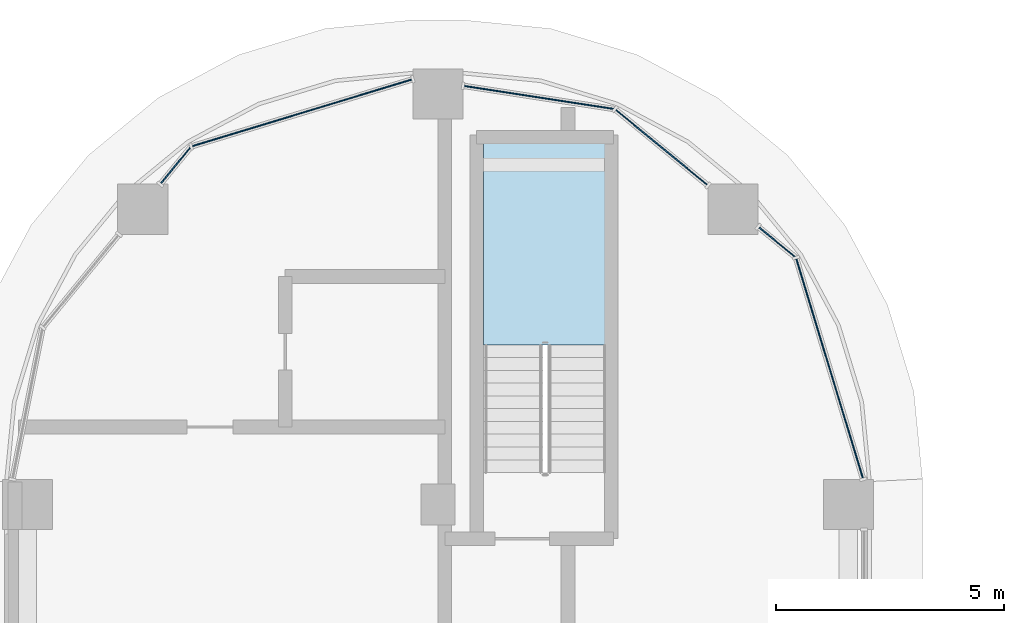
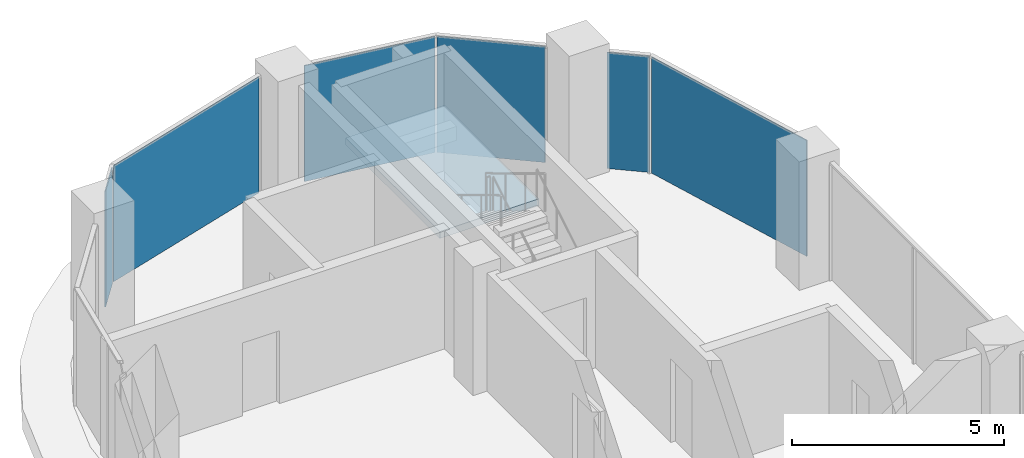
# One storey, part 9 of 24: 6 plates, 1 slab, 4 elements without a shape of their own.
"""IFC4 building model written with IfcOpenShell, lengths in metres."""

from ifc_helpers import new_model, si_unit, direction, frame, origin, origin_2d, place, context, subcontext, project, spatial, polyline, rectangle, outline, extrude, material, layer, layer_set, type_object, element, aggregate, save


model = new_model("IFC4")

# Units and contexts
model_context = context("Model", 3, precision=1e-05, world=origin(), true_north=direction((0.0, 1.0)))
body_context = subcontext(model_context, "Body", "Model", "MODEL_VIEW")
ifc_project = project(units=[si_unit("LENGTHUNIT", "METRE"), si_unit("AREAUNIT", "SQUARE_METRE"), si_unit("VOLUMEUNIT", "CUBIC_METRE"), si_unit("PLANEANGLEUNIT", "RADIAN"), si_unit("MASSUNIT", "GRAM", prefix="KILO")], contexts=[model_context])

# Site, building, storey
site_placement = place(None, origin())
site = spatial("IfcSite", under=ifc_project, at=site_placement, CompositionType="ELEMENT")
building_placement = place(site_placement, origin())
building = spatial("IfcBuilding", under=site, at=building_placement, Name="Ogive Portal Towers", CompositionType="ELEMENT")
storey_placement = place(building_placement, frame((0.0, 0.0, 153.300048828125)))
storey = spatial("IfcBuildingStorey", under=building, at=storey_placement, Name="L37", CompositionType="ELEMENT", Elevation=153.300048828125)

# Curtain wall, plates
ifc_material_1 = material(Name="Glass, clear low-iron insulated glazing", Category="glass")
curtain_wall_type = type_object("IfcCurtainWallType", Name="CW FRONT RIBBON 4500", PredefinedType="NOTDEFINED", material=ifc_material_1)
curtain_wall_1_placement = place(storey_placement, origin())
curtain_wall_1 = element("IfcCurtainWall", 1, at=curtain_wall_1_placement, inside=storey, type_object=curtain_wall_type, Name="A:L37:f07:cwa~0", PredefinedType="NOTDEFINED")
ifc_layer_1 = layer(ifc_material_1, 0.028076171875)
ifc_layer_set_1 = layer_set([ifc_layer_1], Name="CW PANEL IGU 28")
plate_type = type_object("IfcPlateType", Name="CW PANEL IGU 28", PredefinedType="CURTAIN_PANEL", material=ifc_layer_set_1)
plate_1_placement = place(storey_placement, frame((49.0888671875, 69.48095703125, 0.0), z_axis=(0.0, 0.0, 1.0), x_axis=(-0.290284677254, 0.956940335732, 0.0)))
plate_1 = element("IfcPlate", 2, at=plate_1_placement, type_object=plate_type, Name="panel", PredefinedType="CURTAIN_PANEL", context=body_context, shape_type="SweptSolid", body=[
    extrude(rectangle(XDim=5.020751953125, YDim=0.028076171875, at=origin_2d()), origin(), (0.0, 0.0, 1.0), 3.340087890625),
])
plate_2_placement = place(storey_placement, frame((47.937255859375, 72.251953125, 0.0), z_axis=(0.0, 0.0, 1.0), x_axis=(-0.773010453363, 0.634393284164, 0.0)))
plate_2 = element("IfcPlate", 3, at=plate_2_placement, type_object=plate_type, Name="panel", PredefinedType="CURTAIN_PANEL", context=body_context, shape_type="SweptSolid", body=[
    extrude(rectangle(XDim=1.01171875, YDim=0.028076171875, at=origin_2d()), origin(), (0.0, 0.0, 1.0), 3.340087890625),
])
aggregate(curtain_wall_1, [plate_1, plate_2])

curtain_wall_2_placement = place(storey_placement, origin())
curtain_wall_2 = element("IfcCurtainWall", 4, at=curtain_wall_2_placement, inside=storey, type_object=curtain_wall_type, Name="A:L37:f07:cwa~1", PredefinedType="NOTDEFINED")
plate_3_placement = place(storey_placement, frame((45.40234375, 74.332275390625, 0.0), z_axis=(0.0, 0.0, 1.0), x_axis=(-0.773010453363, 0.634393284164, 0.0)))
plate_3 = element("IfcPlate", 5, at=plate_3_placement, type_object=plate_type, Name="panel", PredefinedType="CURTAIN_PANEL", context=body_context, shape_type="SweptSolid", body=[
    extrude(rectangle(XDim=2.580810546875, YDim=0.028076171875, at=origin_2d()), origin(), (0.0, 0.0, 1.0), 3.340087890625),
])
plate_4_placement = place(storey_placement, frame((42.7158203125, 75.42626953125, 0.0), z_axis=(0.0, 0.0, 1.0), x_axis=(-0.988369166731, 0.15207363432, 0.0)))
plate_4 = element("IfcPlate", 6, at=plate_4_placement, type_object=plate_type, Name="panel", PredefinedType="CURTAIN_PANEL", context=body_context, shape_type="SweptSolid", body=[
    extrude(rectangle(XDim=3.310791015625, YDim=0.028076171875, at=origin_2d()), origin(), (0.0, 0.0, 1.0), 3.340087890625),
])
aggregate(curtain_wall_2, [plate_3, plate_4])

curtain_wall_3_placement = place(storey_placement, origin())
curtain_wall_3 = element("IfcCurtainWall", 7, at=curtain_wall_3_placement, inside=storey, type_object=curtain_wall_type, Name="A:L37:f07:cwa~2", PredefinedType="NOTDEFINED")
plate_5_placement = place(storey_placement, frame((37.51904296875, 75.0888671875, 0.0), z_axis=(0.0, 0.0, 1.0), x_axis=(-0.956940335732, -0.290284677254, 0.0)))
plate_5 = element("IfcPlate", 8, at=plate_5_placement, type_object=plate_type, Name="panel", PredefinedType="CURTAIN_PANEL", context=body_context, shape_type="SweptSolid", body=[
    extrude(rectangle(XDim=5.020751953125, YDim=0.028076171875, at=origin_2d()), origin(), (0.0, 0.0, 1.0), 3.340087890625),
])
plate_6_placement = place(storey_placement, frame((34.748046875, 73.937255859375, 0.0), z_axis=(0.0, 0.0, 1.0), x_axis=(-0.634393284164, -0.773010453363, 0.0)))
plate_6 = element("IfcPlate", 9, at=plate_6_placement, type_object=plate_type, Name="panel", PredefinedType="CURTAIN_PANEL", context=body_context, shape_type="SweptSolid", body=[
    extrude(rectangle(XDim=1.01171875, YDim=0.028076171875, at=origin_2d()), origin(), (0.0, 0.0, 1.0), 3.340087890625),
])
aggregate(curtain_wall_3, [plate_5, plate_6])

# Stair, slab
ifc_material_2 = material(Name="Concrete C40/50", Category="concrete")
stair_type = type_object("IfcStairType", Name="INT-STAIR", PredefinedType="HALF_TURN_STAIR", material=ifc_material_2)
stair_placement = place(storey_placement, origin())
stair = element("IfcStair", 10, at=stair_placement, inside=storey, type_object=stair_type, Name="L37 Exit Stair ST-A3", PredefinedType="HALF_TURN_STAIR")
ifc_layer_2 = layer(ifc_material_2, 0.199951171875)
ifc_layer_set_2 = layer_set([ifc_layer_2], Name="INT-LANDING")
slab_type = type_object("IfcSlabType", Name="INT-LANDING", PredefinedType="LANDING", material=ifc_layer_set_2)
slab_placement = place(storey_placement, frame((0.0, 0.0, 1.64990234375)))
slab = element("IfcSlab", 11, at=slab_placement, type_object=slab_type, Name="ST-A3 landing 1", PredefinedType="LANDING", context=body_context, shape_type="SweptSolid", body=[
    extrude(outline(polyline([(44.199951171875, 70.0), (44.199951171875, 74.449951171875), (41.5, 74.449951171875), (41.5, 70.0), (44.199951171875, 70.0)])), origin(), (0.0, 0.0, 1.0), 0.199951171875),
])
aggregate(stair, [slab])

save(model, "model.ifc")
